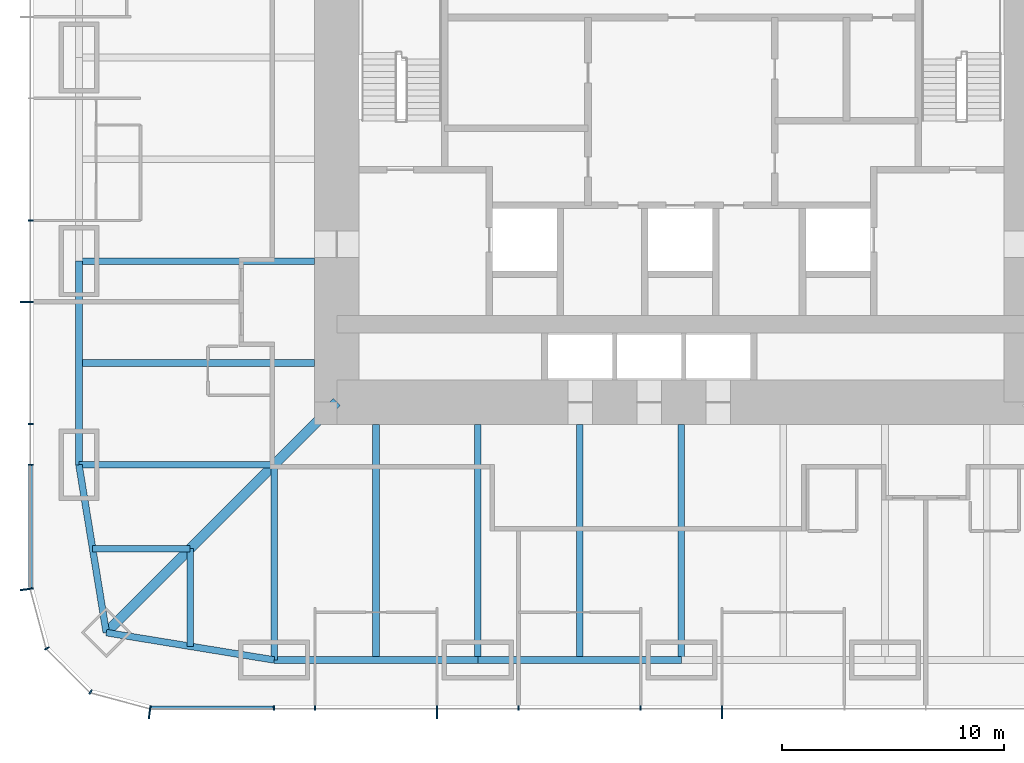
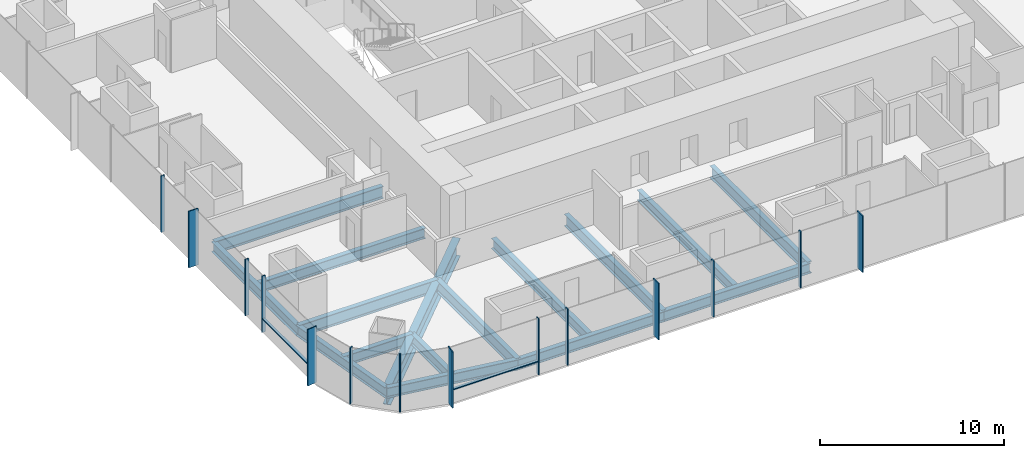
# One storey, part 2 of 13: 16 beams, 16 members, 3 elements without a shape of their own.
"""IFC4 building model written with IfcOpenShell, lengths in metres."""

from ifc_helpers import new_model, si_unit, direction, frame, origin, origin_2d, place, context, subcontext, project, spatial, rectangle, i_section, extrude, material, material_profile, profile_set, type_object, element, aggregate, save


model = new_model("IFC4")

# Units and contexts
model_context = context("Model", 3, precision=1e-05, world=origin(), true_north=direction((0.0, 1.0)))
body_context = subcontext(model_context, "Body", "Model", "MODEL_VIEW")
ifc_project = project(units=[si_unit("LENGTHUNIT", "METRE"), si_unit("AREAUNIT", "SQUARE_METRE"), si_unit("VOLUMEUNIT", "CUBIC_METRE"), si_unit("PLANEANGLEUNIT", "RADIAN"), si_unit("MASSUNIT", "GRAM", prefix="KILO")], contexts=[model_context])

# Site, building, storey
site_placement = place(None, origin())
site = spatial("IfcSite", under=ifc_project, at=site_placement, CompositionType="ELEMENT")
building_placement = place(site_placement, origin())
building = spatial("IfcBuilding", under=site, at=building_placement, Name="Khuree Lantern Residences", CompositionType="ELEMENT")
storey_placement = place(building_placement, frame((0.0, 0.0, 111.0)))
storey = spatial("IfcBuildingStorey", under=building, at=storey_placement, Name="L27", CompositionType="ELEMENT", Elevation=111.0)

# Beams
ifc_material_1 = material(Name="Steel S355", Category="steel")
ifc_material_profile_1 = material_profile(ifc_material_1, i_section(OverallWidth=0.300048828125, OverallDepth=0.68994140625, WebThickness=0.014404296875, FlangeThickness=0.027099609375, FilletRadius=0.027099609375, at=origin_2d()), Name="HE 700 A")
ifc_profile_set_1 = profile_set([ifc_material_profile_1], Name="Steel S355")
beam_type_1 = type_object("IfcBeamType", Name="B-21A SECONDARY BEAM HE 700 A", PredefinedType="BEAM", material=ifc_profile_set_1)
for number, where, z_axis, x_axis, name in (
    (1, (-4.580078125, -27.10009765625, -0.594970703125), (0.0, 1.0, 0.0), (-1.0, 0.0, 0.0), "Secondary beam S4"),
    (2, (-13.739990234375, -27.10009765625, -0.594970703125), (0.0, 1.0, 0.0), (-1.0, 0.0, 0.0), "Secondary beam S5"),
):
    element("IfcBeam", number, at=place(storey_placement, frame(where, z_axis=z_axis, x_axis=x_axis)), inside=storey, type_object=beam_type_1, Name=name, PredefinedType="BEAM", context=body_context, shape_type="SweptSolid", body=[
        extrude(i_section(OverallWidth=0.300048828125, OverallDepth=0.68994140625, WebThickness=0.014404296875, FlangeThickness=0.027099609375, FilletRadius=0.027099609375, at=origin_2d()), origin(), (0.0, 0.0, 1.0), 10.60009765625),
    ])
for number, where, z_axis, x_axis, name in (
    (3, (-22.094970703125, -26.48486328125, -0.594970703125), (0.0, 1.0, 0.0), (-1.0, 0.0, 0.0), "Secondary beam S6"),
    (4, (-26.48486328125, -22.094970703125, -0.594970703125), (1.0, 0.0, 0.0), (0.0, 1.0, 0.0), "Secondary beam W1"),
):
    element("IfcBeam", number, at=place(storey_placement, frame(where, z_axis=z_axis, x_axis=x_axis)), inside=storey, type_object=beam_type_1, Name=name, PredefinedType="BEAM", context=body_context, shape_type="SweptSolid", body=[
        extrude(i_section(OverallWidth=0.300048828125, OverallDepth=0.68994140625, WebThickness=0.014404296875, FlangeThickness=0.027099609375, FilletRadius=0.027099609375, at=origin_2d()), origin(), (0.0, 0.0, 1.0), 4.389892578125),
    ])
beam_1_placement = place(storey_placement, frame((-27.10009765625, -13.739990234375, -0.594970703125), z_axis=(1.0, 0.0, 0.0), x_axis=(0.0, 1.0, 0.0)))
element("IfcBeam", 5, at=beam_1_placement, inside=storey, type_object=beam_type_1, Name="Secondary beam W2", PredefinedType="BEAM", context=body_context, shape_type="SweptSolid", body=[
    extrude(i_section(OverallWidth=0.300048828125, OverallDepth=0.68994140625, WebThickness=0.014404296875, FlangeThickness=0.027099609375, FilletRadius=0.027099609375, at=origin_2d()), origin(), (0.0, 0.0, 1.0), 10.60009765625),
])
ifc_material_profile_2 = material_profile(ifc_material_1, i_section(OverallWidth=0.300048828125, OverallDepth=0.68994140625, WebThickness=0.014404296875, FlangeThickness=0.027099609375, FilletRadius=0.027099609375, at=origin_2d()), Name="HE 700 A")
ifc_profile_set_2 = profile_set([ifc_material_profile_2], Name="Steel S355")
beam_type_2 = type_object("IfcBeamType", Name="E-21 SPANDREL BEAM HE 700 A", PredefinedType="SPANDREL", material=ifc_profile_set_2)
beam_2_placement = place(storey_placement, frame((0.0, -27.10009765625, -0.594970703125), z_axis=(-1.0, 0.0, 0.0), x_axis=(0.0, -1.0, 0.0)))
element("IfcBeam", 6, at=beam_2_placement, inside=storey, type_object=beam_type_2, Name="Spandrel beam S4", PredefinedType="SPANDREL", context=body_context, shape_type="SweptSolid", body=[
    extrude(i_section(OverallWidth=0.300048828125, OverallDepth=0.68994140625, WebThickness=0.014404296875, FlangeThickness=0.027099609375, FilletRadius=0.027099609375, at=origin_2d()), origin(), (0.0, 0.0, 1.0), 9.159912109375),
])
beam_3_placement = place(storey_placement, frame((-9.159912109375, -27.10009765625, -0.594970703125), z_axis=(-1.0, 0.0, 0.0), x_axis=(0.0, -1.0, 0.0)))
element("IfcBeam", 7, at=beam_3_placement, inside=storey, type_object=beam_type_2, Name="Spandrel beam S5", PredefinedType="SPANDREL", context=body_context, shape_type="SweptSolid", body=[
    extrude(i_section(OverallWidth=0.300048828125, OverallDepth=0.68994140625, WebThickness=0.014404296875, FlangeThickness=0.027099609375, FilletRadius=0.027099609375, at=origin_2d()), origin(), (0.0, 0.0, 1.0), 9.16015625),
])
for number, where, z_axis, x_axis, name in (
    (8, (-18.320068359375, -27.10009765625, -0.594970703125), (-0.986982656839, 0.160826723833, 0.0), (-0.160826723833, -0.986982656839, 0.0), "Spandrel beam S6"),
    (9, (-25.869873046875, -25.869873046875, -0.594970703125), (-0.160826723833, 0.986982656839, 0.0), (-0.986982656839, -0.160826723833, 0.0), "Spandrel beam W1"),
):
    element("IfcBeam", number, at=place(storey_placement, frame(where, z_axis=z_axis, x_axis=x_axis)), inside=storey, type_object=beam_type_2, Name=name, PredefinedType="SPANDREL", context=body_context, shape_type="SweptSolid", body=[
        extrude(i_section(OverallWidth=0.300048828125, OverallDepth=0.68994140625, WebThickness=0.014404296875, FlangeThickness=0.027099609375, FilletRadius=0.027099609375, at=origin_2d()), origin(), (0.0, 0.0, 1.0), 7.6494140625),
    ])
beam_4_placement = place(storey_placement, frame((-27.10009765625, -18.320068359375, -0.594970703125), z_axis=(0.0, 1.0, 0.0), x_axis=(-1.0, 0.0, 0.0)))
element("IfcBeam", 10, at=beam_4_placement, inside=storey, type_object=beam_type_2, Name="Spandrel beam W2", PredefinedType="SPANDREL", context=body_context, shape_type="SweptSolid", body=[
    extrude(i_section(OverallWidth=0.300048828125, OverallDepth=0.68994140625, WebThickness=0.014404296875, FlangeThickness=0.027099609375, FilletRadius=0.027099609375, at=origin_2d()), origin(), (0.0, 0.0, 1.0), 9.16015625),
])

# Curtain wall, member
ifc_material_2 = material(Name="Bronze anodised aluminium", Category="aluminium")
curtain_wall_type_1 = type_object("IfcCurtainWallType", Name="CW-T1 TOWER FACE CURTAIN WALL", PredefinedType="USERDEFINED", material=ifc_material_2)
curtain_wall_1_placement = place(storey_placement, origin())
curtain_wall_1 = element("IfcCurtainWall", 11, at=curtain_wall_1_placement, inside=storey, type_object=curtain_wall_type_1, Name="L27 WEST FACE CURTAIN WALL", ObjectType="Stick-built curtain wall", PredefinedType="USERDEFINED")
ifc_material_profile_3 = material_profile(ifc_material_2, rectangle(XDim=0.06494140625, YDim=0.60009765625, at=origin_2d()), Name="F1 65X600")
ifc_profile_set_3 = profile_set([ifc_material_profile_3], Name="Bronze anodised aluminium")
member_type_1 = type_object("IfcMemberType", Name="F1 BRONZE FIN MULLION TOWER 65X600", PredefinedType="MULLION", material=ifc_profile_set_3)
member_1_placement = place(storey_placement, frame((-29.449951171875, -10.991943359375, 0.0), z_axis=(0.0, 0.0, 1.0), x_axis=(0.0, -1.0, 0.0)))
member_1 = element("IfcMember", 12, at=member_1_placement, type_object=member_type_1, Name="L27 WEST FACE FIN MULLION 40", PredefinedType="MULLION", context=body_context, shape_type="SweptSolid", body=[
    extrude(rectangle(XDim=0.06494140625, YDim=0.60009765625, at=origin_2d()), origin(), (0.0, 0.0, 1.0), 3.75),
])

curtain_wall_type_2 = type_object("IfcCurtainWallType", Name="CW-T2 TOWER CORNER CURTAIN WALL", PredefinedType="USERDEFINED", material=ifc_material_2)
curtain_wall_2_placement = place(storey_placement, origin())
curtain_wall_2 = element("IfcCurtainWall", 13, at=curtain_wall_2_placement, inside=storey, type_object=curtain_wall_type_2, Name="L27 SOUTH-WEST CORNER CURTAIN WALL", ObjectType="Faceted corner curtain wall", PredefinedType="USERDEFINED")
member_2_placement = place(storey_placement, frame((-29.4501953125, -23.919677734375, 0.0), z_axis=(0.0, 0.0, 1.0), x_axis=(0.130526223125, -0.991444857305, 0.0)))
member_2 = element("IfcMember", 14, at=member_2_placement, type_object=member_type_1, Name="L27 SOUTH-WEST CORNER FIN MULLION 43", PredefinedType="MULLION", context=body_context, shape_type="SweptSolid", body=[
    extrude(rectangle(XDim=0.06494140625, YDim=0.60009765625, at=origin_2d()), origin(), (0.0, 0.0, 1.0), 3.75),
])

# Curtain wall, members
curtain_wall_3_placement = place(storey_placement, origin())
curtain_wall_3 = element("IfcCurtainWall", 15, at=curtain_wall_3_placement, inside=storey, type_object=curtain_wall_type_1, Name="L27 SOUTH FACE CURTAIN WALL", ObjectType="Stick-built curtain wall", PredefinedType="USERDEFINED")
member_3_placement = place(storey_placement, frame((-23.919677734375, -29.4501953125, 0.0), z_axis=(0.0, 0.0, 1.0), x_axis=(0.991444857305, -0.130526223125, 0.0)))
member_3 = element("IfcMember", 16, at=member_3_placement, type_object=member_type_1, Name="L27 SOUTH FACE FIN MULLION 46", PredefinedType="MULLION", context=body_context, shape_type="SweptSolid", body=[
    extrude(rectangle(XDim=0.06494140625, YDim=0.60009765625, at=origin_2d()), origin(), (0.0, 0.0, 1.0), 3.75),
])
member_4_placement = place(storey_placement, frame((-10.991943359375, -29.449951171875, 0.0), z_axis=(0.0, 0.0, 1.0), x_axis=(1.0, 0.0, 0.0)))
member_4 = element("IfcMember", 17, at=member_4_placement, type_object=member_type_1, Name="L27 SOUTH FACE FIN MULLION 49", PredefinedType="MULLION", context=body_context, shape_type="SweptSolid", body=[
    extrude(rectangle(XDim=0.06494140625, YDim=0.60009765625, at=origin_2d()), origin(), (0.0, 0.0, 1.0), 3.75),
])
member_5_placement = place(storey_placement, frame((1.83203125, -29.449951171875, 0.0), z_axis=(0.0, 0.0, 1.0), x_axis=(1.0, 0.0, 0.0)))
member_5 = element("IfcMember", 18, at=member_5_placement, type_object=member_type_1, Name="L27 SOUTH FACE FIN MULLION 52", PredefinedType="MULLION", context=body_context, shape_type="SweptSolid", body=[
    extrude(rectangle(XDim=0.06494140625, YDim=0.60009765625, at=origin_2d()), origin(), (0.0, 0.0, 1.0), 3.75),
])

# Beams
ifc_material_profile_4 = material_profile(ifc_material_1, i_section(OverallWidth=0.300048828125, OverallDepth=0.800048828125, WebThickness=0.017578125, FlangeThickness=0.032958984375, FilletRadius=0.030029296875, at=origin_2d()), Name="HE 800 B")
ifc_profile_set_4 = profile_set([ifc_material_profile_4], Name="Steel S355")
beam_type_3 = type_object("IfcBeamType", Name="G-21 GIRDER HE 800 B", PredefinedType="BEAM", material=ifc_profile_set_4)
for number, where, z_axis, x_axis, name in (
    (19, (0.0, -27.10009765625, -0.64990234375), (0.0, 1.0, 0.0), (-1.0, 0.0, 0.0), "Girder S3"),
    (20, (-9.159912109375, -27.10009765625, -0.64990234375), (0.0, 1.0, 0.0), (-1.0, 0.0, 0.0), "Girder S4"),
):
    element("IfcBeam", number, at=place(storey_placement, frame(where, z_axis=z_axis, x_axis=x_axis)), inside=storey, type_object=beam_type_3, Name=name, PredefinedType="BEAM", context=body_context, shape_type="SweptSolid", body=[
        extrude(i_section(OverallWidth=0.300048828125, OverallDepth=0.800048828125, WebThickness=0.017578125, FlangeThickness=0.032958984375, FilletRadius=0.030029296875, at=origin_2d()), origin(), (0.0, 0.0, 1.0), 10.60009765625),
    ])
for number, where, z_axis, x_axis, name in (
    (21, (-18.320068359375, -27.10009765625, -0.64990234375), (0.0, 1.0, 0.0), (-1.0, 0.0, 0.0), "Girder S5"),
    (22, (-27.10009765625, -18.320068359375, -0.64990234375), (1.0, 0.0, 0.0), (0.0, 1.0, 0.0), "Girder W1"),
):
    element("IfcBeam", number, at=place(storey_placement, frame(where, z_axis=z_axis, x_axis=x_axis)), inside=storey, type_object=beam_type_3, Name=name, PredefinedType="BEAM", context=body_context, shape_type="SweptSolid", body=[
        extrude(i_section(OverallWidth=0.300048828125, OverallDepth=0.800048828125, WebThickness=0.017578125, FlangeThickness=0.032958984375, FilletRadius=0.030029296875, at=origin_2d()), origin(), (0.0, 0.0, 1.0), 8.780029296875),
    ])
beam_5_placement = place(storey_placement, frame((-27.10009765625, -9.159912109375, -0.64990234375), z_axis=(1.0, 0.0, 0.0), x_axis=(0.0, 1.0, 0.0)))
element("IfcBeam", 23, at=beam_5_placement, inside=storey, type_object=beam_type_3, Name="Girder W2", PredefinedType="BEAM", context=body_context, shape_type="SweptSolid", body=[
    extrude(i_section(OverallWidth=0.300048828125, OverallDepth=0.800048828125, WebThickness=0.017578125, FlangeThickness=0.032958984375, FilletRadius=0.030029296875, at=origin_2d()), origin(), (0.0, 0.0, 1.0), 10.60009765625),
])
ifc_material_profile_5 = material_profile(ifc_material_1, i_section(OverallWidth=0.449951171875, OverallDepth=1.199951171875, WebThickness=0.02490234375, FlangeThickness=0.044921875, at=origin_2d()), Name="WELDED I 1200X450X25X45")
ifc_profile_set_5 = profile_set([ifc_material_profile_5], Name="Steel S355")
beam_type_4 = type_object("IfcBeamType", Name="GD-21 CORNER GIRDER WELDED I 1200X450X25X45", PredefinedType="BEAM", material=ifc_profile_set_5)
beam_6_placement = place(storey_placement, frame((-25.869873046875, -25.869873046875, -0.85009765625), z_axis=(0.707106781187, 0.707106781187, 0.0), x_axis=(-0.707106781187, 0.707106781187, 0.0)))
element("IfcBeam", 24, at=beam_6_placement, inside=storey, type_object=beam_type_4, Name="Corner girder SW", PredefinedType="BEAM", context=body_context, shape_type="SweptSolid", body=[
    extrude(i_section(OverallWidth=0.449951171875, OverallDepth=1.199951171875, WebThickness=0.02490234375, FlangeThickness=0.044921875, at=origin_2d()), origin(), (0.0, 0.0, 1.0), 14.665283203125),
])

# Member
ifc_material_profile_6 = material_profile(ifc_material_2, rectangle(XDim=0.06494140625, YDim=0.219970703125, at=origin_2d()), Name="M1 65X220")
ifc_profile_set_6 = profile_set([ifc_material_profile_6], Name="Bronze anodised aluminium")
member_type_2 = type_object("IfcMemberType", Name="M1 BRONZE MULLION TOWER 65X220", PredefinedType="MULLION", material=ifc_profile_set_6)
member_6_placement = place(storey_placement, frame((-29.260009765625, -7.327880859375, 0.0), z_axis=(0.0, 0.0, 1.0), x_axis=(0.0, -1.0, 0.0)))
member_6 = element("IfcMember", 25, at=member_6_placement, type_object=member_type_2, Name="L27 WEST FACE MULLION 39", PredefinedType="MULLION", context=body_context, shape_type="SweptSolid", body=[
    extrude(rectangle(XDim=0.06494140625, YDim=0.219970703125, at=origin_2d()), origin(), (0.0, 0.0, 1.0), 3.75),
])

member_7_placement = place(storey_placement, frame((-29.260009765625, -16.488037109375, 0.0), z_axis=(0.0, 0.0, 1.0), x_axis=(0.0, -1.0, 0.0)))
member_7 = element("IfcMember", 26, at=member_7_placement, type_object=member_type_2, Name="L27 WEST FACE MULLION 41", PredefinedType="MULLION", context=body_context, shape_type="SweptSolid", body=[
    extrude(rectangle(XDim=0.06494140625, YDim=0.219970703125, at=origin_2d()), origin(), (0.0, 0.0, 1.0), 3.75),
])

member_8_placement = place(storey_placement, frame((-29.260009765625, -18.320068359375, 0.0), z_axis=(0.0, 0.0, 1.0), x_axis=(0.0, -1.0, 0.0)))
member_8 = element("IfcMember", 27, at=member_8_placement, type_object=member_type_2, Name="L27 WEST FACE MULLION 42", PredefinedType="MULLION", context=body_context, shape_type="SweptSolid", body=[
    extrude(rectangle(XDim=0.06494140625, YDim=0.219970703125, at=origin_2d()), origin(), (0.0, 0.0, 1.0), 3.75),
])

member_9_placement = place(storey_placement, frame((-28.5419921875, -26.580078125, 0.0), z_axis=(0.0, 0.0, 1.0), x_axis=(0.500000026995, -0.866025388199, 0.0)))
member_9 = element("IfcMember", 28, at=member_9_placement, type_object=member_type_2, Name="L27 SOUTH-WEST CORNER MULLION 44", PredefinedType="MULLION", context=body_context, shape_type="SweptSolid", body=[
    extrude(rectangle(XDim=0.06494140625, YDim=0.219970703125, at=origin_2d()), origin(), (0.0, 0.0, 1.0), 3.75),
])

member_10_placement = place(storey_placement, frame((-26.580078125, -28.5419921875, 0.0), z_axis=(0.0, 0.0, 1.0), x_axis=(0.866025388199, -0.500000026995, 0.0)))
member_10 = element("IfcMember", 29, at=member_10_placement, type_object=member_type_2, Name="L27 SOUTH-WEST CORNER MULLION 45", PredefinedType="MULLION", context=body_context, shape_type="SweptSolid", body=[
    extrude(rectangle(XDim=0.06494140625, YDim=0.219970703125, at=origin_2d()), origin(), (0.0, 0.0, 1.0), 3.75),
])

aggregate(curtain_wall_2, [member_2, member_9, member_10])

member_11_placement = place(storey_placement, frame((-18.320068359375, -29.260009765625, 0.0), z_axis=(0.0, 0.0, 1.0), x_axis=(1.0, 0.0, 0.0)))
member_11 = element("IfcMember", 30, at=member_11_placement, type_object=member_type_2, Name="L27 SOUTH FACE MULLION 47", PredefinedType="MULLION", context=body_context, shape_type="SweptSolid", body=[
    extrude(rectangle(XDim=0.06494140625, YDim=0.219970703125, at=origin_2d()), origin(), (0.0, 0.0, 1.0), 3.75),
])

member_12_placement = place(storey_placement, frame((-16.488037109375, -29.260009765625, 0.0), z_axis=(0.0, 0.0, 1.0), x_axis=(1.0, 0.0, 0.0)))
member_12 = element("IfcMember", 31, at=member_12_placement, type_object=member_type_2, Name="L27 SOUTH FACE MULLION 48", PredefinedType="MULLION", context=body_context, shape_type="SweptSolid", body=[
    extrude(rectangle(XDim=0.06494140625, YDim=0.219970703125, at=origin_2d()), origin(), (0.0, 0.0, 1.0), 3.75),
])

member_13_placement = place(storey_placement, frame((-7.327880859375, -29.260009765625, 0.0), z_axis=(0.0, 0.0, 1.0), x_axis=(1.0, 0.0, 0.0)))
member_13 = element("IfcMember", 32, at=member_13_placement, type_object=member_type_2, Name="L27 SOUTH FACE MULLION 50", PredefinedType="MULLION", context=body_context, shape_type="SweptSolid", body=[
    extrude(rectangle(XDim=0.06494140625, YDim=0.219970703125, at=origin_2d()), origin(), (0.0, 0.0, 1.0), 3.75),
])

member_14_placement = place(storey_placement, frame((-1.83203125, -29.260009765625, 0.0), z_axis=(0.0, 0.0, 1.0), x_axis=(1.0, 0.0, 0.0)))
member_14 = element("IfcMember", 33, at=member_14_placement, type_object=member_type_2, Name="L27 SOUTH FACE MULLION 51", PredefinedType="MULLION", context=body_context, shape_type="SweptSolid", body=[
    extrude(rectangle(XDim=0.06494140625, YDim=0.219970703125, at=origin_2d()), origin(), (0.0, 0.0, 1.0), 3.75),
])

ifc_material_profile_7 = material_profile(ifc_material_2, rectangle(XDim=0.179931640625, YDim=0.06494140625, at=origin_2d()), Name="T1 180X65")
ifc_profile_set_7 = profile_set([ifc_material_profile_7], Name="Bronze anodised aluminium")
member_type_3 = type_object("IfcMemberType", Name="TRANSOM T1 TOWER 180X65", PredefinedType="USERDEFINED", material=ifc_profile_set_7)
member_15_placement = place(storey_placement, frame((-29.27001953125, -18.3525390625, 0.89990234375), z_axis=(0.0, -1.0, 0.0), x_axis=(1.0, 0.0, 0.0)))
member_15 = element("IfcMember", 34, at=member_15_placement, type_object=member_type_3, Name="L27 WEST FACE TRANSOM 42.1", ObjectType="Transom", PredefinedType="USERDEFINED", context=body_context, shape_type="SweptSolid", body=[
    extrude(rectangle(XDim=0.179931640625, YDim=0.06494140625, at=origin_2d()), origin(), (0.0, 0.0, 1.0), 5.498779296875),
])

aggregate(curtain_wall_1, [member_6, member_1, member_7, member_8, member_15])

member_16_placement = place(storey_placement, frame((-23.851318359375, -29.27001953125, 0.89990234375), z_axis=(1.0, 0.0, 0.0), x_axis=(0.0, 1.0, 0.0)))
member_16 = element("IfcMember", 35, at=member_16_placement, type_object=member_type_3, Name="L27 SOUTH FACE TRANSOM 46.1", ObjectType="Transom", PredefinedType="USERDEFINED", context=body_context, shape_type="SweptSolid", body=[
    extrude(rectangle(XDim=0.179931640625, YDim=0.06494140625, at=origin_2d()), origin(), (0.0, 0.0, 1.0), 5.498779296875),
])

aggregate(curtain_wall_3, [member_3, member_11, member_12, member_4, member_13, member_14, member_5, member_16])

save(model, "model.ifc")
